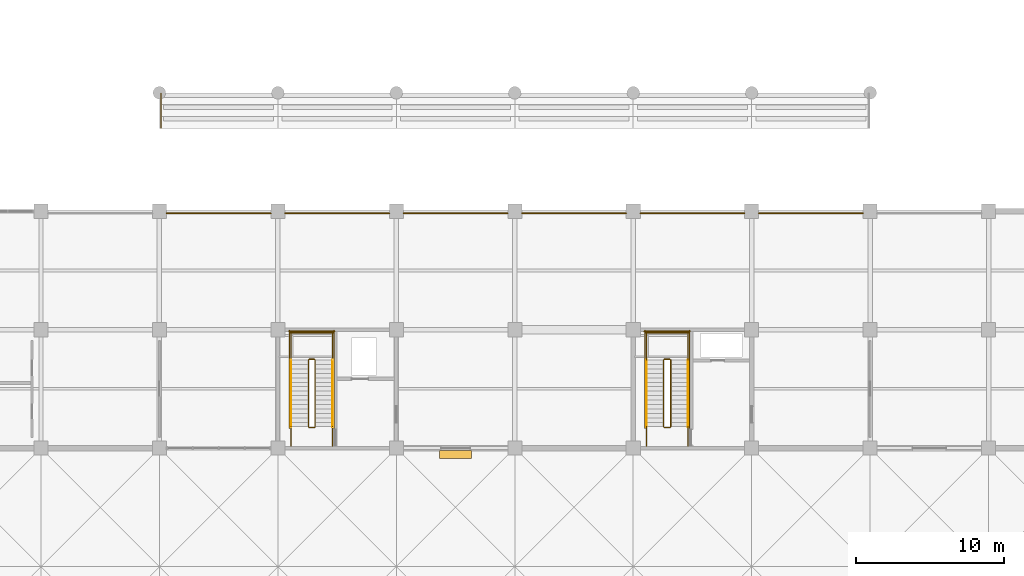
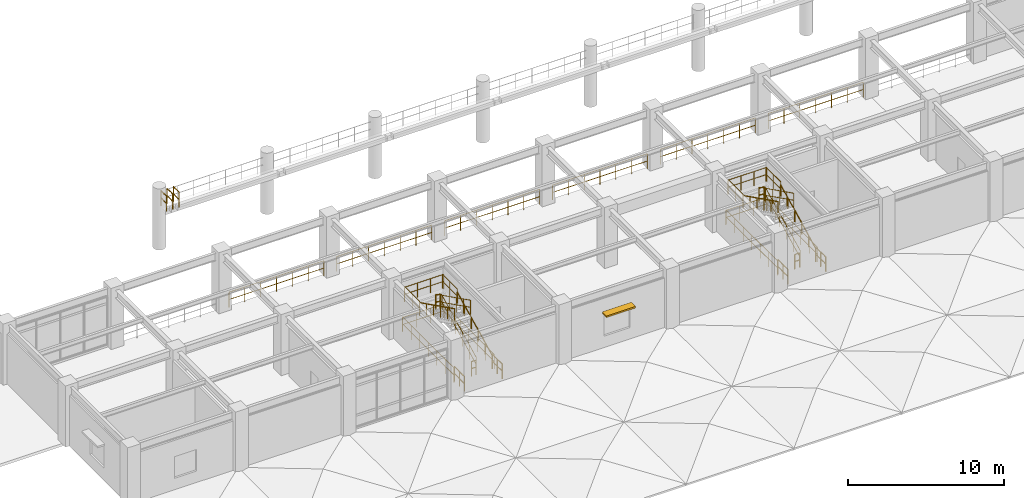
# One storey, part 94 of 109: 37 railings, 1 shading device.
"""IFC4 building model written with IfcOpenShell, lengths in metres."""

from ifc_helpers import new_model, si_unit, direction, frame, origin, origin_2d, place, context, subcontext, project, spatial, rectangle, circle, extrude, material, layer, layer_set, type_object, element, save


model = new_model("IFC4")

# Units and contexts
model_context = context("Model", 3, precision=1e-05, world=origin(), true_north=direction((0.0, 1.0)))
body_context = subcontext(model_context, "Body", "Model", "MODEL_VIEW")
ifc_project = project(units=[si_unit("LENGTHUNIT", "METRE"), si_unit("AREAUNIT", "SQUARE_METRE"), si_unit("VOLUMEUNIT", "CUBIC_METRE"), si_unit("PLANEANGLEUNIT", "RADIAN"), si_unit("MASSUNIT", "GRAM", prefix="KILO")], contexts=[model_context])

# Site, building, storey
site_placement = place(None, origin())
site = spatial("IfcSite", under=ifc_project, at=site_placement, CompositionType="ELEMENT")
building_placement = place(site_placement, origin())
building = spatial("IfcBuilding", under=site, at=building_placement, Name="Haebicheon Civic Stadium", CompositionType="ELEMENT")
storey_placement = place(building_placement, frame((0.0, 0.0, 9.60009765625)))
storey = spatial("IfcBuildingStorey", under=building, at=storey_placement, Name="L03", CompositionType="ELEMENT", Elevation=9.60009765625)

# Railings
ifc_material_1 = material(Name="Stainless steel 316 and laminated glass", Category="steel")
railing_type_1 = type_object("IfcRailingType", Name="RL-BAL-1200", PredefinedType="BALUSTRADE", material=ifc_material_1)
for number, where, name in (
    (1, (80.47509765625, 31.860107421875, 0.0), "L03 concourse bowl-edge balustrade 057"),
    (2, (88.47509765625, 31.860107421875, 0.0), "L03 concourse bowl-edge balustrade 059"),
    (3, (96.47509765625, 31.860107421875, 0.0), "L03 concourse bowl-edge balustrade 061"),
    (4, (104.47509765625, 31.860107421875, 0.0), "L03 concourse bowl-edge balustrade 063"),
    (5, (112.47509765625, 31.860107421875, 0.0), "L03 concourse bowl-edge balustrade 065"),
    (6, (120.47509765625, 31.860107421875, 0.0), "L03 concourse bowl-edge balustrade 067"),
):
    element("IfcRailing", number, at=place(storey_placement, frame(where)), inside=storey, type_object=railing_type_1, material=ifc_material_1, Name=name, PredefinedType="BALUSTRADE", context=body_context, shape_type="SweptSolid", body=[
        extrude(circle(Radius=0.02392578125, at=origin_2d()), frame((0.0, 0.0, 1.17578125), z_axis=(1.0, 0.0, 0.0), x_axis=(0.0, 1.0, 0.0)), (0.0, 0.0, 1.0), 7.0498046875),
        extrude(circle(Radius=0.02392578125, at=origin_2d()), frame((0.0, 0.0, 0.60009765625), z_axis=(1.0, 0.0, 0.0), x_axis=(0.0, 1.0, 0.0)), (0.0, 0.0, 1.0), 7.0498046875),
        extrude(circle(Radius=0.02099609375, at=origin_2d()), origin(), (0.0, 0.0, 1.0), 1.15185546875),
        extrude(circle(Radius=0.02099609375, at=origin_2d()), frame((1.175048828125, 0.0, 0.0)), (0.0, 0.0, 1.0), 1.15185546875),
        extrude(circle(Radius=0.02099609375, at=origin_2d()), frame((2.349853515625, 0.0, 0.0)), (0.0, 0.0, 1.0), 1.15185546875),
        extrude(circle(Radius=0.02099609375, at=origin_2d()), frame((3.52490234375, 0.0, 0.0)), (0.0, 0.0, 1.0), 1.15185546875),
        extrude(circle(Radius=0.02099609375, at=origin_2d()), frame((4.699951171875, 0.0, 0.0)), (0.0, 0.0, 1.0), 1.15185546875),
        extrude(circle(Radius=0.02099609375, at=origin_2d()), frame((5.874755859375, 0.0, 0.0)), (0.0, 0.0, 1.0), 1.15185546875),
        extrude(circle(Radius=0.02099609375, at=origin_2d()), frame((7.0498046875, 0.0, 0.0)), (0.0, 0.0, 1.0), 1.15185546875),
    ])
for number, where, name in (
    (7, (80.10009765625, 39.239990234375, 3.199951171875), "TIER-S-U end-aisle side guard W.1"),
    (8, (80.10009765625, 38.43994140625, 3.843994140625), "TIER-S-U end-aisle side guard W.2"),
):
    element("IfcRailing", number, at=place(storey_placement, frame(where)), inside=storey, type_object=railing_type_1, material=ifc_material_1, Name=name, PredefinedType="BALUSTRADE", context=body_context, shape_type="SweptSolid", body=[
        extrude(circle(Radius=0.02392578125, at=origin_2d()), frame((0.0, 0.0, 1.17578125), z_axis=(0.0, 1.0, 0.0), x_axis=(-1.0, 0.0, 0.0)), (0.0, 0.0, 1.0), 0.719970703125),
        extrude(circle(Radius=0.02392578125, at=origin_2d()), frame((0.0, 0.0, 0.60009765625), z_axis=(0.0, 1.0, 0.0), x_axis=(-1.0, 0.0, 0.0)), (0.0, 0.0, 1.0), 0.719970703125),
        extrude(circle(Radius=0.02099609375, at=origin_2d()), origin(), (0.0, 0.0, 1.0), 1.15185546875),
        extrude(circle(Radius=0.02099609375, at=origin_2d()), frame((0.0, 0.719970703125, 0.0)), (0.0, 0.0, 1.0), 1.15185546875),
    ])
railing_1_placement = place(storey_placement, frame((80.10009765625, 37.639892578125, 4.489013671875)))
element("IfcRailing", 9, at=railing_1_placement, inside=storey, type_object=railing_type_1, material=ifc_material_1, Name="TIER-S-U end-aisle side guard W.3", PredefinedType="BALUSTRADE", context=body_context, shape_type="SweptSolid", body=[
    extrude(circle(Radius=0.02392578125, at=origin_2d()), frame((0.0, 0.0, 1.17578125), z_axis=(0.0, 1.0, 0.0), x_axis=(-1.0, 0.0, 0.0)), (0.0, 0.0, 1.0), 0.72021484375),
    extrude(circle(Radius=0.02392578125, at=origin_2d()), frame((0.0, 0.0, 0.60009765625), z_axis=(0.0, 1.0, 0.0), x_axis=(-1.0, 0.0, 0.0)), (0.0, 0.0, 1.0), 0.72021484375),
    extrude(circle(Radius=0.02099609375, at=origin_2d()), origin(), (0.0, 0.0, 1.0), 1.15185546875),
    extrude(circle(Radius=0.02099609375, at=origin_2d()), frame((0.0, 0.72021484375, 0.0)), (0.0, 0.0, 1.0), 1.15185546875),
])
ifc_material_2 = material(Name="Galvanised painted steel SM355", Category="steel")
railing_type_2 = type_object("IfcRailingType", Name="RL-GRD-1150", PredefinedType="GUARDRAIL", material=ifc_material_2)
railing_2_placement = place(storey_placement, frame((90.510009765625, 17.449951171875, 0.14990234375)))
element("IfcRailing", 10, at=railing_2_placement, inside=storey, type_object=railing_type_2, material=ifc_material_2, Name="L03 ST-06 stair guard 1", PredefinedType="GUARDRAIL", context=body_context, shape_type="SweptSolid", body=[
    extrude(circle(Radius=0.02392578125, at=origin_2d()), frame((0.0, 0.0, 1.1259765625), z_axis=(0.0, 0.894427191, 0.4472135955), x_axis=(-1.0, 0.0, 0.0)), (0.0, 0.0, 1.0), 5.03125),
    extrude(circle(Radius=0.02392578125, at=origin_2d()), frame((0.0, 0.0, 0.574951171875), z_axis=(0.0, 0.894427191, 0.4472135955), x_axis=(-1.0, 0.0, 0.0)), (0.0, 0.0, 1.0), 5.03125),
    extrude(circle(Radius=0.02099609375, at=origin_2d()), origin(), (0.0, 0.0, 1.0), 1.101806640625),
    extrude(circle(Radius=0.02099609375, at=origin_2d()), frame((0.0, 0.89990234375, 0.449951171875)), (0.0, 0.0, 1.0), 1.101806640625),
    extrude(circle(Radius=0.02099609375, at=origin_2d()), frame((0.0, 1.800048828125, 0.89990234375)), (0.0, 0.0, 1.0), 1.101806640625),
    extrude(circle(Radius=0.02099609375, at=origin_2d()), frame((0.0, 2.699951171875, 1.35009765625)), (0.0, 0.0, 1.0), 1.101806640625),
    extrude(circle(Radius=0.02099609375, at=origin_2d()), frame((0.0, 3.60009765625, 1.800048828125)), (0.0, 0.0, 1.0), 1.101806640625),
    extrude(circle(Radius=0.02099609375, at=origin_2d()), frame((0.0, 4.5, 2.25)), (0.0, 0.0, 1.0), 1.101806640625),
])
railing_3_placement = place(storey_placement, frame((90.4599609375, 22.0, 2.39990234375)))
element("IfcRailing", 11, at=railing_3_placement, inside=storey, type_object=railing_type_2, material=ifc_material_2, Name="L03 ST-06 stair guard 2", PredefinedType="GUARDRAIL", context=body_context, shape_type="SweptSolid", body=[
    extrude(circle(Radius=0.02392578125, at=origin_2d()), frame((0.0, 0.0, 1.1259765625), z_axis=(-1.0, 0.0, 0.0), x_axis=(0.0, -1.0, 0.0)), (0.0, 0.0, 1.0), 0.33984375),
    extrude(circle(Radius=0.02392578125, at=origin_2d()), frame((0.0, 0.0, 0.574951171875), z_axis=(-1.0, 0.0, 0.0), x_axis=(0.0, -1.0, 0.0)), (0.0, 0.0, 1.0), 0.33984375),
    extrude(circle(Radius=0.02099609375, at=origin_2d()), origin(), (0.0, 0.0, 1.0), 1.101806640625),
    extrude(circle(Radius=0.02099609375, at=origin_2d()), frame((-0.33984375, 0.0, 0.0)), (0.0, 0.0, 1.0), 1.101806640625),
])
for number, where, name in (
    (12, (91.68994140625, 21.949951171875, 2.39990234375), "L03 ST-06 stair guard 3"),
    (13, (88.889892578125, 21.949951171875, 2.39990234375), "L03 ST-06 stair guard 4"),
):
    element("IfcRailing", number, at=place(storey_placement, frame(where)), inside=storey, type_object=railing_type_2, material=ifc_material_2, Name=name, PredefinedType="GUARDRAIL", context=body_context, shape_type="SweptSolid", body=[
        extrude(circle(Radius=0.02392578125, at=origin_2d()), frame((0.0, 0.0, 1.1259765625), z_axis=(0.0, 1.0, 0.0), x_axis=(-1.0, 0.0, 0.0)), (0.0, 0.0, 1.0), 1.89013671875),
        extrude(circle(Radius=0.02392578125, at=origin_2d()), frame((0.0, 0.0, 0.574951171875), z_axis=(0.0, 1.0, 0.0), x_axis=(-1.0, 0.0, 0.0)), (0.0, 0.0, 1.0), 1.89013671875),
        extrude(circle(Radius=0.02099609375, at=origin_2d()), origin(), (0.0, 0.0, 1.0), 1.101806640625),
        extrude(circle(Radius=0.02099609375, at=origin_2d()), frame((0.0, 0.945068359375, 0.0)), (0.0, 0.0, 1.0), 1.101806640625),
        extrude(circle(Radius=0.02099609375, at=origin_2d()), frame((0.0, 1.89013671875, 0.0)), (0.0, 0.0, 1.0), 1.101806640625),
    ])
railing_4_placement = place(storey_placement, frame((91.739990234375, 23.7900390625, 2.39990234375)))
element("IfcRailing", 14, at=railing_4_placement, inside=storey, type_object=railing_type_2, material=ifc_material_2, Name="L03 ST-06 stair guard 5", PredefinedType="GUARDRAIL", context=body_context, shape_type="SweptSolid", body=[
    extrude(circle(Radius=0.02392578125, at=origin_2d()), frame((0.0, 0.0, 1.1259765625), z_axis=(-1.0, 0.0, 0.0), x_axis=(0.0, -1.0, 0.0)), (0.0, 0.0, 1.0), 2.89990234375),
    extrude(circle(Radius=0.02392578125, at=origin_2d()), frame((0.0, 0.0, 0.574951171875), z_axis=(-1.0, 0.0, 0.0), x_axis=(0.0, -1.0, 0.0)), (0.0, 0.0, 1.0), 2.89990234375),
    extrude(circle(Radius=0.02099609375, at=origin_2d()), origin(), (0.0, 0.0, 1.0), 1.101806640625),
    extrude(circle(Radius=0.02099609375, at=origin_2d()), frame((-0.966552734375, 0.0, 0.0)), (0.0, 0.0, 1.0), 1.101806640625),
    extrude(circle(Radius=0.02099609375, at=origin_2d()), frame((-1.933349609375, 0.0, 0.0)), (0.0, 0.0, 1.0), 1.101806640625),
    extrude(circle(Radius=0.02099609375, at=origin_2d()), frame((-2.89990234375, 0.0, 0.0)), (0.0, 0.0, 1.0), 1.101806640625),
])
railing_5_placement = place(storey_placement, frame((90.070068359375, 21.949951171875, 2.5498046875)))
element("IfcRailing", 15, at=railing_5_placement, inside=storey, type_object=railing_type_2, material=ifc_material_2, Name="L03 ST-06 stair guard 6", PredefinedType="GUARDRAIL", context=body_context, shape_type="SweptSolid", body=[
    extrude(circle(Radius=0.02392578125, at=origin_2d()), frame((0.0, 0.0, 1.1259765625), z_axis=(0.0, -0.894427191, 0.4472135955), x_axis=(1.0, 0.0, 0.0)), (0.0, 0.0, 1.0), 5.03125),
    extrude(circle(Radius=0.02392578125, at=origin_2d()), frame((0.0, 0.0, 0.574951171875), z_axis=(0.0, -0.894427191, 0.4472135955), x_axis=(1.0, 0.0, 0.0)), (0.0, 0.0, 1.0), 5.03125),
    extrude(circle(Radius=0.02099609375, at=origin_2d()), origin(), (0.0, 0.0, 1.0), 1.101806640625),
    extrude(circle(Radius=0.02099609375, at=origin_2d()), frame((0.0, -0.89990234375, 0.449951171875)), (0.0, 0.0, 1.0), 1.101806640625),
    extrude(circle(Radius=0.02099609375, at=origin_2d()), frame((0.0, -1.800048828125, 0.89990234375)), (0.0, 0.0, 1.0), 1.101806640625),
    extrude(circle(Radius=0.02099609375, at=origin_2d()), frame((0.0, -2.699951171875, 1.35009765625)), (0.0, 0.0, 1.0), 1.101806640625),
    extrude(circle(Radius=0.02099609375, at=origin_2d()), frame((0.0, -3.60009765625, 1.800048828125)), (0.0, 0.0, 1.0), 1.101806640625),
    extrude(circle(Radius=0.02099609375, at=origin_2d()), frame((0.0, -4.5, 2.25)), (0.0, 0.0, 1.0), 1.101806640625),
])
railing_6_placement = place(storey_placement, frame((90.4599609375, 17.39990234375, 0.0)))
element("IfcRailing", 16, at=railing_6_placement, inside=storey, type_object=railing_type_2, material=ifc_material_2, Name="L03 ST-06 stair guard 7", PredefinedType="GUARDRAIL", context=body_context, shape_type="SweptSolid", body=[
    extrude(circle(Radius=0.02392578125, at=origin_2d()), frame((0.0, 0.0, 1.1259765625), z_axis=(-1.0, 0.0, 0.0), x_axis=(0.0, -1.0, 0.0)), (0.0, 0.0, 1.0), 0.33984375),
    extrude(circle(Radius=0.02392578125, at=origin_2d()), frame((0.0, 0.0, 0.574951171875), z_axis=(-1.0, 0.0, 0.0), x_axis=(0.0, -1.0, 0.0)), (0.0, 0.0, 1.0), 0.33984375),
    extrude(circle(Radius=0.02099609375, at=origin_2d()), origin(), (0.0, 0.0, 1.0), 1.101806640625),
    extrude(circle(Radius=0.02099609375, at=origin_2d()), frame((-0.33984375, 0.0, 0.0)), (0.0, 0.0, 1.0), 1.101806640625),
])
for number, where, name in (
    (17, (91.68994140625, 16.159912109375, 0.0), "L03 ST-06 stair guard 8"),
    (18, (88.889892578125, 16.159912109375, 0.0), "L03 ST-06 stair guard 9"),
):
    element("IfcRailing", number, at=place(storey_placement, frame(where)), inside=storey, type_object=railing_type_2, material=ifc_material_2, Name=name, PredefinedType="GUARDRAIL", context=body_context, shape_type="SweptSolid", body=[
        extrude(circle(Radius=0.02392578125, at=origin_2d()), frame((0.0, 0.0, 1.1259765625), z_axis=(0.0, 1.0, 0.0), x_axis=(-1.0, 0.0, 0.0)), (0.0, 0.0, 1.0), 1.2900390625),
        extrude(circle(Radius=0.02392578125, at=origin_2d()), frame((0.0, 0.0, 0.574951171875), z_axis=(0.0, 1.0, 0.0), x_axis=(-1.0, 0.0, 0.0)), (0.0, 0.0, 1.0), 1.2900390625),
        extrude(circle(Radius=0.02099609375, at=origin_2d()), origin(), (0.0, 0.0, 1.0), 1.101806640625),
        extrude(circle(Radius=0.02099609375, at=origin_2d()), frame((0.0, 0.64501953125, 0.0)), (0.0, 0.0, 1.0), 1.101806640625),
        extrude(circle(Radius=0.02099609375, at=origin_2d()), frame((0.0, 1.2900390625, 0.0)), (0.0, 0.0, 1.0), 1.101806640625),
    ])
for number, where, name in (
    (19, (91.7900390625, 17.35009765625, 0.0), "L03 ST-06 stair guard 10"),
    (20, (88.7900390625, 17.35009765625, 0.0), "L03 ST-06 stair guard 11"),
):
    element("IfcRailing", number, at=place(storey_placement, frame(where)), inside=storey, type_object=railing_type_2, material=ifc_material_2, Name=name, PredefinedType="GUARDRAIL", context=body_context, shape_type="SweptSolid", body=[
        extrude(circle(Radius=0.02392578125, at=origin_2d()), frame((0.0, 0.0, 1.1259765625), z_axis=(0.0, 1.0, 0.0), x_axis=(-1.0, 0.0, 0.0)), (0.0, 0.0, 1.0), 6.58984375),
        extrude(circle(Radius=0.02392578125, at=origin_2d()), frame((0.0, 0.0, 0.574951171875), z_axis=(0.0, 1.0, 0.0), x_axis=(-1.0, 0.0, 0.0)), (0.0, 0.0, 1.0), 6.58984375),
        extrude(circle(Radius=0.02099609375, at=origin_2d()), origin(), (0.0, 0.0, 1.0), 1.101806640625),
        extrude(circle(Radius=0.02099609375, at=origin_2d()), frame((0.0, 1.098388671875, 0.0)), (0.0, 0.0, 1.0), 1.101806640625),
        extrude(circle(Radius=0.02099609375, at=origin_2d()), frame((0.0, 2.196533203125, 0.0)), (0.0, 0.0, 1.0), 1.101806640625),
        extrude(circle(Radius=0.02099609375, at=origin_2d()), frame((0.0, 3.294921875, 0.0)), (0.0, 0.0, 1.0), 1.101806640625),
        extrude(circle(Radius=0.02099609375, at=origin_2d()), frame((0.0, 4.393310546875, 0.0)), (0.0, 0.0, 1.0), 1.101806640625),
        extrude(circle(Radius=0.02099609375, at=origin_2d()), frame((0.0, 5.491455078125, 0.0)), (0.0, 0.0, 1.0), 1.101806640625),
        extrude(circle(Radius=0.02099609375, at=origin_2d()), frame((0.0, 6.58984375, 0.0)), (0.0, 0.0, 1.0), 1.101806640625),
    ])
railing_7_placement = place(storey_placement, frame((91.840087890625, 23.889892578125, 0.0)))
element("IfcRailing", 21, at=railing_7_placement, inside=storey, type_object=railing_type_2, material=ifc_material_2, Name="L03 ST-06 stair guard 12", PredefinedType="GUARDRAIL", context=body_context, shape_type="SweptSolid", body=[
    extrude(circle(Radius=0.02392578125, at=origin_2d()), frame((0.0, 0.0, 1.1259765625), z_axis=(-1.0, 0.0, 0.0), x_axis=(0.0, -1.0, 0.0)), (0.0, 0.0, 1.0), 3.10009765625),
    extrude(circle(Radius=0.02392578125, at=origin_2d()), frame((0.0, 0.0, 0.574951171875), z_axis=(-1.0, 0.0, 0.0), x_axis=(0.0, -1.0, 0.0)), (0.0, 0.0, 1.0), 3.10009765625),
    extrude(circle(Radius=0.02099609375, at=origin_2d()), origin(), (0.0, 0.0, 1.0), 1.101806640625),
    extrude(circle(Radius=0.02099609375, at=origin_2d()), frame((-1.033447265625, 0.0, 0.0)), (0.0, 0.0, 1.0), 1.101806640625),
    extrude(circle(Radius=0.02099609375, at=origin_2d()), frame((-2.066650390625, 0.0, 0.0)), (0.0, 0.0, 1.0), 1.101806640625),
    extrude(circle(Radius=0.02099609375, at=origin_2d()), frame((-3.10009765625, 0.0, 0.0)), (0.0, 0.0, 1.0), 1.101806640625),
])
railing_8_placement = place(storey_placement, frame((114.530029296875, 17.449951171875, 0.14990234375)))
element("IfcRailing", 22, at=railing_8_placement, inside=storey, type_object=railing_type_2, material=ifc_material_2, Name="L03 ST-07 stair guard 1", PredefinedType="GUARDRAIL", context=body_context, shape_type="SweptSolid", body=[
    extrude(circle(Radius=0.02392578125, at=origin_2d()), frame((0.0, 0.0, 1.1259765625), z_axis=(0.0, 0.894427191, 0.4472135955), x_axis=(-1.0, 0.0, 0.0)), (0.0, 0.0, 1.0), 5.03125),
    extrude(circle(Radius=0.02392578125, at=origin_2d()), frame((0.0, 0.0, 0.574951171875), z_axis=(0.0, 0.894427191, 0.4472135955), x_axis=(-1.0, 0.0, 0.0)), (0.0, 0.0, 1.0), 5.03125),
    extrude(circle(Radius=0.02099609375, at=origin_2d()), origin(), (0.0, 0.0, 1.0), 1.101806640625),
    extrude(circle(Radius=0.02099609375, at=origin_2d()), frame((0.0, 0.89990234375, 0.449951171875)), (0.0, 0.0, 1.0), 1.101806640625),
    extrude(circle(Radius=0.02099609375, at=origin_2d()), frame((0.0, 1.800048828125, 0.89990234375)), (0.0, 0.0, 1.0), 1.101806640625),
    extrude(circle(Radius=0.02099609375, at=origin_2d()), frame((0.0, 2.699951171875, 1.35009765625)), (0.0, 0.0, 1.0), 1.101806640625),
    extrude(circle(Radius=0.02099609375, at=origin_2d()), frame((0.0, 3.60009765625, 1.800048828125)), (0.0, 0.0, 1.0), 1.101806640625),
    extrude(circle(Radius=0.02099609375, at=origin_2d()), frame((0.0, 4.5, 2.25)), (0.0, 0.0, 1.0), 1.101806640625),
])
railing_9_placement = place(storey_placement, frame((114.47998046875, 22.0, 2.39990234375)))
element("IfcRailing", 23, at=railing_9_placement, inside=storey, type_object=railing_type_2, material=ifc_material_2, Name="L03 ST-07 stair guard 2", PredefinedType="GUARDRAIL", context=body_context, shape_type="SweptSolid", body=[
    extrude(circle(Radius=0.02392578125, at=origin_2d()), frame((0.0, 0.0, 1.1259765625), z_axis=(-1.0, 0.0, 0.0), x_axis=(0.0, -1.0, 0.0)), (0.0, 0.0, 1.0), 0.3798828125),
    extrude(circle(Radius=0.02392578125, at=origin_2d()), frame((0.0, 0.0, 0.574951171875), z_axis=(-1.0, 0.0, 0.0), x_axis=(0.0, -1.0, 0.0)), (0.0, 0.0, 1.0), 0.3798828125),
    extrude(circle(Radius=0.02099609375, at=origin_2d()), origin(), (0.0, 0.0, 1.0), 1.101806640625),
    extrude(circle(Radius=0.02099609375, at=origin_2d()), frame((-0.3798828125, 0.0, 0.0)), (0.0, 0.0, 1.0), 1.101806640625),
])
for number, where, name in (
    (24, (115.68994140625, 21.949951171875, 2.39990234375), "L03 ST-07 stair guard 3"),
    (25, (112.889892578125, 21.949951171875, 2.39990234375), "L03 ST-07 stair guard 4"),
):
    element("IfcRailing", number, at=place(storey_placement, frame(where)), inside=storey, type_object=railing_type_2, material=ifc_material_2, Name=name, PredefinedType="GUARDRAIL", context=body_context, shape_type="SweptSolid", body=[
        extrude(circle(Radius=0.02392578125, at=origin_2d()), frame((0.0, 0.0, 1.1259765625), z_axis=(0.0, 1.0, 0.0), x_axis=(-1.0, 0.0, 0.0)), (0.0, 0.0, 1.0), 1.89013671875),
        extrude(circle(Radius=0.02392578125, at=origin_2d()), frame((0.0, 0.0, 0.574951171875), z_axis=(0.0, 1.0, 0.0), x_axis=(-1.0, 0.0, 0.0)), (0.0, 0.0, 1.0), 1.89013671875),
        extrude(circle(Radius=0.02099609375, at=origin_2d()), origin(), (0.0, 0.0, 1.0), 1.101806640625),
        extrude(circle(Radius=0.02099609375, at=origin_2d()), frame((0.0, 0.945068359375, 0.0)), (0.0, 0.0, 1.0), 1.101806640625),
        extrude(circle(Radius=0.02099609375, at=origin_2d()), frame((0.0, 1.89013671875, 0.0)), (0.0, 0.0, 1.0), 1.101806640625),
    ])
railing_10_placement = place(storey_placement, frame((115.739990234375, 23.7900390625, 2.39990234375)))
element("IfcRailing", 26, at=railing_10_placement, inside=storey, type_object=railing_type_2, material=ifc_material_2, Name="L03 ST-07 stair guard 5", PredefinedType="GUARDRAIL", context=body_context, shape_type="SweptSolid", body=[
    extrude(circle(Radius=0.02392578125, at=origin_2d()), frame((0.0, 0.0, 1.1259765625), z_axis=(-1.0, 0.0, 0.0), x_axis=(0.0, -1.0, 0.0)), (0.0, 0.0, 1.0), 2.89990234375),
    extrude(circle(Radius=0.02392578125, at=origin_2d()), frame((0.0, 0.0, 0.574951171875), z_axis=(-1.0, 0.0, 0.0), x_axis=(0.0, -1.0, 0.0)), (0.0, 0.0, 1.0), 2.89990234375),
    extrude(circle(Radius=0.02099609375, at=origin_2d()), origin(), (0.0, 0.0, 1.0), 1.101806640625),
    extrude(circle(Radius=0.02099609375, at=origin_2d()), frame((-0.966552734375, 0.0, 0.0)), (0.0, 0.0, 1.0), 1.101806640625),
    extrude(circle(Radius=0.02099609375, at=origin_2d()), frame((-1.933349609375, 0.0, 0.0)), (0.0, 0.0, 1.0), 1.101806640625),
    extrude(circle(Radius=0.02099609375, at=origin_2d()), frame((-2.89990234375, 0.0, 0.0)), (0.0, 0.0, 1.0), 1.101806640625),
])
railing_11_placement = place(storey_placement, frame((114.050048828125, 21.949951171875, 2.5498046875)))
element("IfcRailing", 27, at=railing_11_placement, inside=storey, type_object=railing_type_2, material=ifc_material_2, Name="L03 ST-07 stair guard 6", PredefinedType="GUARDRAIL", context=body_context, shape_type="SweptSolid", body=[
    extrude(circle(Radius=0.02392578125, at=origin_2d()), frame((0.0, 0.0, 1.1259765625), z_axis=(0.0, -0.894427191, 0.4472135955), x_axis=(1.0, 0.0, 0.0)), (0.0, 0.0, 1.0), 5.03125),
    extrude(circle(Radius=0.02392578125, at=origin_2d()), frame((0.0, 0.0, 0.574951171875), z_axis=(0.0, -0.894427191, 0.4472135955), x_axis=(1.0, 0.0, 0.0)), (0.0, 0.0, 1.0), 5.03125),
    extrude(circle(Radius=0.02099609375, at=origin_2d()), origin(), (0.0, 0.0, 1.0), 1.101806640625),
    extrude(circle(Radius=0.02099609375, at=origin_2d()), frame((0.0, -0.89990234375, 0.449951171875)), (0.0, 0.0, 1.0), 1.101806640625),
    extrude(circle(Radius=0.02099609375, at=origin_2d()), frame((0.0, -1.800048828125, 0.89990234375)), (0.0, 0.0, 1.0), 1.101806640625),
    extrude(circle(Radius=0.02099609375, at=origin_2d()), frame((0.0, -2.699951171875, 1.35009765625)), (0.0, 0.0, 1.0), 1.101806640625),
    extrude(circle(Radius=0.02099609375, at=origin_2d()), frame((0.0, -3.60009765625, 1.800048828125)), (0.0, 0.0, 1.0), 1.101806640625),
    extrude(circle(Radius=0.02099609375, at=origin_2d()), frame((0.0, -4.5, 2.25)), (0.0, 0.0, 1.0), 1.101806640625),
])
railing_12_placement = place(storey_placement, frame((114.47998046875, 17.39990234375, 0.0)))
element("IfcRailing", 28, at=railing_12_placement, inside=storey, type_object=railing_type_2, material=ifc_material_2, Name="L03 ST-07 stair guard 7", PredefinedType="GUARDRAIL", context=body_context, shape_type="SweptSolid", body=[
    extrude(circle(Radius=0.02392578125, at=origin_2d()), frame((0.0, 0.0, 1.1259765625), z_axis=(-1.0, 0.0, 0.0), x_axis=(0.0, -1.0, 0.0)), (0.0, 0.0, 1.0), 0.3798828125),
    extrude(circle(Radius=0.02392578125, at=origin_2d()), frame((0.0, 0.0, 0.574951171875), z_axis=(-1.0, 0.0, 0.0), x_axis=(0.0, -1.0, 0.0)), (0.0, 0.0, 1.0), 0.3798828125),
    extrude(circle(Radius=0.02099609375, at=origin_2d()), origin(), (0.0, 0.0, 1.0), 1.101806640625),
    extrude(circle(Radius=0.02099609375, at=origin_2d()), frame((-0.3798828125, 0.0, 0.0)), (0.0, 0.0, 1.0), 1.101806640625),
])
for number, where, name in (
    (29, (115.68994140625, 16.159912109375, 0.0), "L03 ST-07 stair guard 8"),
    (30, (112.889892578125, 16.159912109375, 0.0), "L03 ST-07 stair guard 9"),
):
    element("IfcRailing", number, at=place(storey_placement, frame(where)), inside=storey, type_object=railing_type_2, material=ifc_material_2, Name=name, PredefinedType="GUARDRAIL", context=body_context, shape_type="SweptSolid", body=[
        extrude(circle(Radius=0.02392578125, at=origin_2d()), frame((0.0, 0.0, 1.1259765625), z_axis=(0.0, 1.0, 0.0), x_axis=(-1.0, 0.0, 0.0)), (0.0, 0.0, 1.0), 1.2900390625),
        extrude(circle(Radius=0.02392578125, at=origin_2d()), frame((0.0, 0.0, 0.574951171875), z_axis=(0.0, 1.0, 0.0), x_axis=(-1.0, 0.0, 0.0)), (0.0, 0.0, 1.0), 1.2900390625),
        extrude(circle(Radius=0.02099609375, at=origin_2d()), origin(), (0.0, 0.0, 1.0), 1.101806640625),
        extrude(circle(Radius=0.02099609375, at=origin_2d()), frame((0.0, 0.64501953125, 0.0)), (0.0, 0.0, 1.0), 1.101806640625),
        extrude(circle(Radius=0.02099609375, at=origin_2d()), frame((0.0, 1.2900390625, 0.0)), (0.0, 0.0, 1.0), 1.101806640625),
    ])
for number, where, name in (
    (31, (115.7900390625, 17.35009765625, 0.0), "L03 ST-07 stair guard 10"),
    (32, (112.7900390625, 17.35009765625, 0.0), "L03 ST-07 stair guard 11"),
):
    element("IfcRailing", number, at=place(storey_placement, frame(where)), inside=storey, type_object=railing_type_2, material=ifc_material_2, Name=name, PredefinedType="GUARDRAIL", context=body_context, shape_type="SweptSolid", body=[
        extrude(circle(Radius=0.02392578125, at=origin_2d()), frame((0.0, 0.0, 1.1259765625), z_axis=(0.0, 1.0, 0.0), x_axis=(-1.0, 0.0, 0.0)), (0.0, 0.0, 1.0), 6.58984375),
        extrude(circle(Radius=0.02392578125, at=origin_2d()), frame((0.0, 0.0, 0.574951171875), z_axis=(0.0, 1.0, 0.0), x_axis=(-1.0, 0.0, 0.0)), (0.0, 0.0, 1.0), 6.58984375),
        extrude(circle(Radius=0.02099609375, at=origin_2d()), origin(), (0.0, 0.0, 1.0), 1.101806640625),
        extrude(circle(Radius=0.02099609375, at=origin_2d()), frame((0.0, 1.098388671875, 0.0)), (0.0, 0.0, 1.0), 1.101806640625),
        extrude(circle(Radius=0.02099609375, at=origin_2d()), frame((0.0, 2.196533203125, 0.0)), (0.0, 0.0, 1.0), 1.101806640625),
        extrude(circle(Radius=0.02099609375, at=origin_2d()), frame((0.0, 3.294921875, 0.0)), (0.0, 0.0, 1.0), 1.101806640625),
        extrude(circle(Radius=0.02099609375, at=origin_2d()), frame((0.0, 4.393310546875, 0.0)), (0.0, 0.0, 1.0), 1.101806640625),
        extrude(circle(Radius=0.02099609375, at=origin_2d()), frame((0.0, 5.491455078125, 0.0)), (0.0, 0.0, 1.0), 1.101806640625),
        extrude(circle(Radius=0.02099609375, at=origin_2d()), frame((0.0, 6.58984375, 0.0)), (0.0, 0.0, 1.0), 1.101806640625),
    ])
railing_13_placement = place(storey_placement, frame((115.840087890625, 23.889892578125, 0.0)))
element("IfcRailing", 33, at=railing_13_placement, inside=storey, type_object=railing_type_2, material=ifc_material_2, Name="L03 ST-07 stair guard 12", PredefinedType="GUARDRAIL", context=body_context, shape_type="SweptSolid", body=[
    extrude(circle(Radius=0.02392578125, at=origin_2d()), frame((0.0, 0.0, 1.1259765625), z_axis=(-1.0, 0.0, 0.0), x_axis=(0.0, -1.0, 0.0)), (0.0, 0.0, 1.0), 3.10009765625),
    extrude(circle(Radius=0.02392578125, at=origin_2d()), frame((0.0, 0.0, 0.574951171875), z_axis=(-1.0, 0.0, 0.0), x_axis=(0.0, -1.0, 0.0)), (0.0, 0.0, 1.0), 3.10009765625),
    extrude(circle(Radius=0.02099609375, at=origin_2d()), origin(), (0.0, 0.0, 1.0), 1.101806640625),
    extrude(circle(Radius=0.02099609375, at=origin_2d()), frame((-1.033447265625, 0.0, 0.0)), (0.0, 0.0, 1.0), 1.101806640625),
    extrude(circle(Radius=0.02099609375, at=origin_2d()), frame((-2.066650390625, 0.0, 0.0)), (0.0, 0.0, 1.0), 1.101806640625),
    extrude(circle(Radius=0.02099609375, at=origin_2d()), frame((-3.10009765625, 0.0, 0.0)), (0.0, 0.0, 1.0), 1.101806640625),
])
ifc_material_3 = material(Name="Stainless steel 316", Category="steel")
railing_type_3 = type_object("IfcRailingType", Name="RL-HND-900", PredefinedType="HANDRAIL", material=ifc_material_3)
railing_14_placement = place(storey_placement, frame((91.68994140625, 17.449951171875, 0.14990234375)))
element("IfcRailing", 34, at=railing_14_placement, inside=storey, type_object=railing_type_3, material=ifc_material_3, Name="L03 ST-06 stair handrail 1", PredefinedType="HANDRAIL", context=body_context, shape_type="SweptSolid", body=[
    extrude(circle(Radius=0.02392578125, at=origin_2d()), frame((0.0, 0.0, 0.8759765625), z_axis=(0.0, 0.894427191, 0.4472135955), x_axis=(-1.0, 0.0, 0.0)), (0.0, 0.0, 1.0), 5.03125),
    extrude(circle(Radius=0.02099609375, at=origin_2d()), origin(), (0.0, 0.0, 1.0), 0.851806640625),
    extrude(circle(Radius=0.02099609375, at=origin_2d()), frame((0.0, 0.89990234375, 0.449951171875)), (0.0, 0.0, 1.0), 0.851806640625),
    extrude(circle(Radius=0.02099609375, at=origin_2d()), frame((0.0, 1.800048828125, 0.89990234375)), (0.0, 0.0, 1.0), 0.851806640625),
    extrude(circle(Radius=0.02099609375, at=origin_2d()), frame((0.0, 2.699951171875, 1.35009765625)), (0.0, 0.0, 1.0), 0.851806640625),
    extrude(circle(Radius=0.02099609375, at=origin_2d()), frame((0.0, 3.60009765625, 1.800048828125)), (0.0, 0.0, 1.0), 0.851806640625),
    extrude(circle(Radius=0.02099609375, at=origin_2d()), frame((0.0, 4.5, 2.25)), (0.0, 0.0, 1.0), 0.851806640625),
])
railing_15_placement = place(storey_placement, frame((88.889892578125, 21.949951171875, 2.5498046875)))
element("IfcRailing", 35, at=railing_15_placement, inside=storey, type_object=railing_type_3, material=ifc_material_3, Name="L03 ST-06 stair handrail 2", PredefinedType="HANDRAIL", context=body_context, shape_type="SweptSolid", body=[
    extrude(circle(Radius=0.02392578125, at=origin_2d()), frame((0.0, 0.0, 0.8759765625), z_axis=(0.0, -0.894427191, 0.4472135955), x_axis=(1.0, 0.0, 0.0)), (0.0, 0.0, 1.0), 5.03125),
    extrude(circle(Radius=0.02099609375, at=origin_2d()), origin(), (0.0, 0.0, 1.0), 0.851806640625),
    extrude(circle(Radius=0.02099609375, at=origin_2d()), frame((0.0, -0.89990234375, 0.449951171875)), (0.0, 0.0, 1.0), 0.851806640625),
    extrude(circle(Radius=0.02099609375, at=origin_2d()), frame((0.0, -1.800048828125, 0.89990234375)), (0.0, 0.0, 1.0), 0.851806640625),
    extrude(circle(Radius=0.02099609375, at=origin_2d()), frame((0.0, -2.699951171875, 1.35009765625)), (0.0, 0.0, 1.0), 0.851806640625),
    extrude(circle(Radius=0.02099609375, at=origin_2d()), frame((0.0, -3.60009765625, 1.800048828125)), (0.0, 0.0, 1.0), 0.851806640625),
    extrude(circle(Radius=0.02099609375, at=origin_2d()), frame((0.0, -4.5, 2.25)), (0.0, 0.0, 1.0), 0.851806640625),
])
railing_16_placement = place(storey_placement, frame((115.68994140625, 17.449951171875, 0.14990234375)))
element("IfcRailing", 36, at=railing_16_placement, inside=storey, type_object=railing_type_3, material=ifc_material_3, Name="L03 ST-07 stair handrail 1", PredefinedType="HANDRAIL", context=body_context, shape_type="SweptSolid", body=[
    extrude(circle(Radius=0.02392578125, at=origin_2d()), frame((0.0, 0.0, 0.8759765625), z_axis=(0.0, 0.894427191, 0.4472135955), x_axis=(-1.0, 0.0, 0.0)), (0.0, 0.0, 1.0), 5.03125),
    extrude(circle(Radius=0.02099609375, at=origin_2d()), origin(), (0.0, 0.0, 1.0), 0.851806640625),
    extrude(circle(Radius=0.02099609375, at=origin_2d()), frame((0.0, 0.89990234375, 0.449951171875)), (0.0, 0.0, 1.0), 0.851806640625),
    extrude(circle(Radius=0.02099609375, at=origin_2d()), frame((0.0, 1.800048828125, 0.89990234375)), (0.0, 0.0, 1.0), 0.851806640625),
    extrude(circle(Radius=0.02099609375, at=origin_2d()), frame((0.0, 2.699951171875, 1.35009765625)), (0.0, 0.0, 1.0), 0.851806640625),
    extrude(circle(Radius=0.02099609375, at=origin_2d()), frame((0.0, 3.60009765625, 1.800048828125)), (0.0, 0.0, 1.0), 0.851806640625),
    extrude(circle(Radius=0.02099609375, at=origin_2d()), frame((0.0, 4.5, 2.25)), (0.0, 0.0, 1.0), 0.851806640625),
])
railing_17_placement = place(storey_placement, frame((112.889892578125, 21.949951171875, 2.5498046875)))
element("IfcRailing", 37, at=railing_17_placement, inside=storey, type_object=railing_type_3, material=ifc_material_3, Name="L03 ST-07 stair handrail 2", PredefinedType="HANDRAIL", context=body_context, shape_type="SweptSolid", body=[
    extrude(circle(Radius=0.02392578125, at=origin_2d()), frame((0.0, 0.0, 0.8759765625), z_axis=(0.0, -0.894427191, 0.4472135955), x_axis=(1.0, 0.0, 0.0)), (0.0, 0.0, 1.0), 5.03125),
    extrude(circle(Radius=0.02099609375, at=origin_2d()), origin(), (0.0, 0.0, 1.0), 0.851806640625),
    extrude(circle(Radius=0.02099609375, at=origin_2d()), frame((0.0, -0.89990234375, 0.449951171875)), (0.0, 0.0, 1.0), 0.851806640625),
    extrude(circle(Radius=0.02099609375, at=origin_2d()), frame((0.0, -1.800048828125, 0.89990234375)), (0.0, 0.0, 1.0), 0.851806640625),
    extrude(circle(Radius=0.02099609375, at=origin_2d()), frame((0.0, -2.699951171875, 1.35009765625)), (0.0, 0.0, 1.0), 0.851806640625),
    extrude(circle(Radius=0.02099609375, at=origin_2d()), frame((0.0, -3.60009765625, 1.800048828125)), (0.0, 0.0, 1.0), 0.851806640625),
    extrude(circle(Radius=0.02099609375, at=origin_2d()), frame((0.0, -4.5, 2.25)), (0.0, 0.0, 1.0), 0.851806640625),
])

# Shading device
ifc_material_4 = material(Name="Anodised aluminium 6063-T6", Category="aluminium")
ifc_layer = layer(ifc_material_4, 0.1201171875, Name="Anodised aluminium 6063-T6")
ifc_layer_set = layer_set([ifc_layer], Name="Anodised aluminium 6063-T6")
shading_device_type = type_object("IfcShadingDeviceType", Name="SHD-ALU-LVR", PredefinedType="USERDEFINED", material=ifc_layer_set)
shading_device_placement = place(storey_placement, frame((100.0, 15.570068359375, 2.769775390625), z_axis=(0.0, 0.0, 1.0), x_axis=(1.0, 0.0, 0.0)))
element("IfcShadingDevice", 38, at=shading_device_placement, inside=storey, type_object=shading_device_type, material=ifc_layer_set, Name="L03 window sunshade louvre hood 28", ObjectType="LOUVRE", PredefinedType="USERDEFINED", context=body_context, shape_type="SweptSolid", body=[
    extrude(rectangle(XDim=2.14990234375, YDim=0.550048828125, at=origin_2d()), origin(), (0.0, 0.0, 1.0), 0.1201171875),
])

save(model, "model.ifc")
